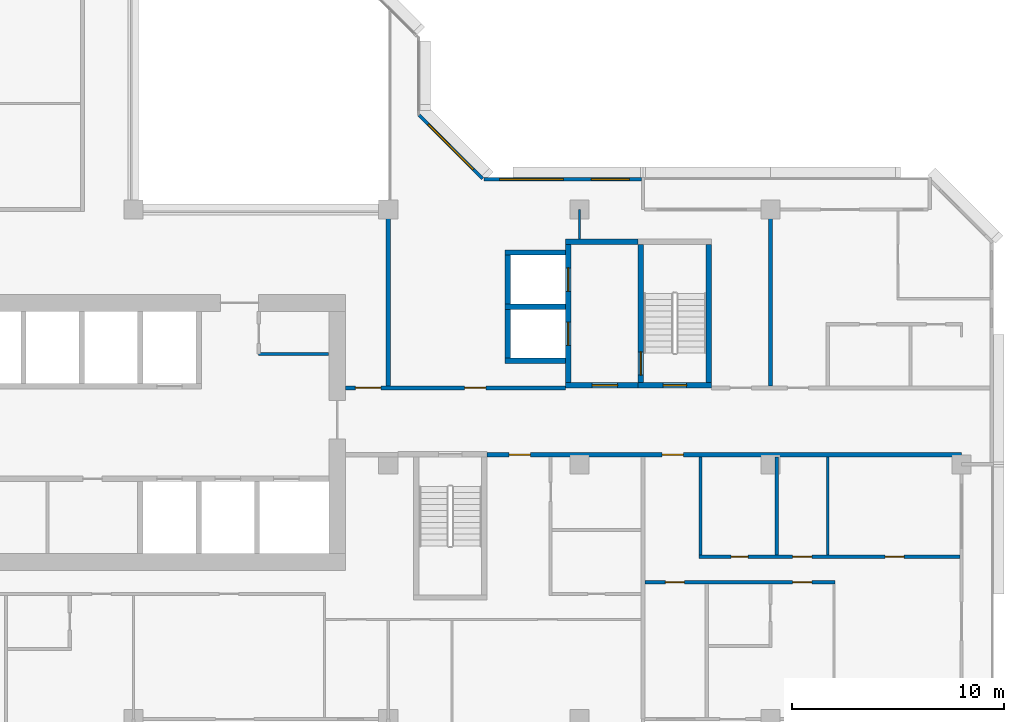
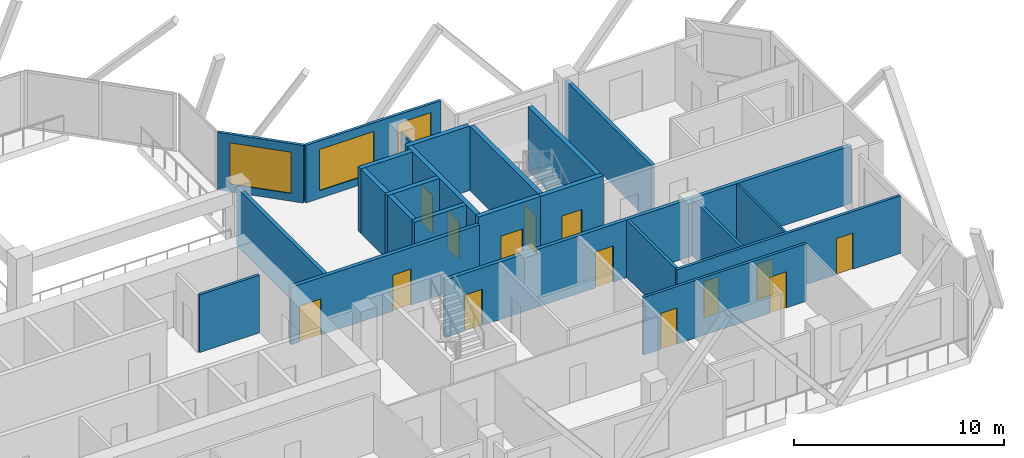
# One storey, part 7 of 15: 24 walls, 14 doors, 3 windows, 17 openings.
"""IFC4 building model written with IfcOpenShell, lengths in metres."""

from ifc_helpers import new_model, si_unit, direction, frame, frame_2d, origin, place, context, subcontext, project, spatial, rectangle, extrude, material, layer, layer_set, type_object, element, fill, save


model = new_model("IFC4")

# Units and contexts
model_context = context("Model", 3, precision=1e-05, world=origin(), true_north=direction((0.0, 1.0)))
body_context = subcontext(model_context, "Body", "Model", "MODEL_VIEW")
ifc_project = project(units=[si_unit("LENGTHUNIT", "METRE"), si_unit("AREAUNIT", "SQUARE_METRE"), si_unit("VOLUMEUNIT", "CUBIC_METRE"), si_unit("PLANEANGLEUNIT", "RADIAN"), si_unit("MASSUNIT", "GRAM", prefix="KILO")], contexts=[model_context])

# Site, building, storey
site_placement = place(None, origin())
site = spatial("IfcSite", under=ifc_project, at=site_placement, CompositionType="ELEMENT")
building_placement = place(site_placement, origin())
building = spatial("IfcBuilding", under=site, at=building_placement, Name="Chenar Terraces", CompositionType="ELEMENT")
storey_placement = place(building_placement, frame((0.0, 0.0, 172.39990234375)))
storey = spatial("IfcBuildingStorey", under=building, at=storey_placement, Name="L39", CompositionType="ELEMENT", Elevation=172.39990234375)

# Wall
ifc_material_1 = material(Name="Gypsum board on steel studs", Category="steel")
ifc_layer_1 = layer(ifc_material_1, 0.14990234375)
ifc_layer_set_1 = layer_set([ifc_layer_1], Name="Gypsum board on steel studs")
wall_type_1 = type_object("IfcWallType", Name="Core partition 150 gypsum board", PredefinedType="PARTITIONING", material=ifc_layer_set_1)
wall_1_placement = place(storey_placement, frame((29.89990234375, 17.199951171875, 0.0), z_axis=(0.0, 0.0, 1.0), x_axis=(1.0, 0.0, 0.0)))
element("IfcWall", 1, at=wall_1_placement, inside=storey, type_object=wall_type_1, Name="Core partition CP1 vestibule room south wall", PredefinedType="PARTITIONING", context=body_context, shape_type="SweptSolid", body=[
    extrude(rectangle(XDim=3.300048828125, YDim=0.14990234375, at=frame_2d((1.64990234375, 0.0))), origin(), (0.0, 0.0, 1.0), 3.35009765625),
])

# Wall, opening, door
ifc_material_2 = material(Name="Concrete C60/75", Category="concrete")
ifc_layer_2 = layer(ifc_material_2, 0.25)
ifc_layer_set_2 = layer_set([ifc_layer_2], Name="Concrete C60/75")
wall_type_2 = type_object("IfcWallType", Name="Core wall 250 Concrete C60/75", PredefinedType="SHEAR", material=ifc_layer_set_2)
wall_2_placement = place(storey_placement, frame((47.77490234375, 15.72509765625, 0.0), z_axis=(0.0, 0.0, 1.0), x_axis=(1.0, 0.0, 0.0)))
wall_2 = element("IfcWall", 2, at=wall_2_placement, inside=storey, type_object=wall_type_2, Name="Core wall ST3_S L39", PredefinedType="SHEAR", context=body_context, shape_type="SweptSolid", body=[
    extrude(rectangle(XDim=3.4501953125, YDim=0.25, at=frame_2d((1.72509765625, 0.0))), origin(), (0.0, 0.0, 1.0), 3.75),
])
opening_1_placement = place(wall_2_placement, frame((1.175048828125, 0.0, 0.0)))
opening_1 = element("IfcOpeningElement", 3, at=opening_1_placement, cuts=wall_2, Name="Opening DL39-C8", PredefinedType="OPENING", context=body_context, shape_type="SweptSolid", body=[
    extrude(rectangle(XDim=1.10009765625, YDim=2.199951171875, at=frame_2d((0.550048828125, 1.10009765625))), frame((0.0, 0.135009765625, 0.0), z_axis=(0.0, -1.0, 0.0), x_axis=(1.0, 0.0, 0.0)), (0.0, 0.0, 1.0), 0.27001953125),
])
ifc_material_3 = material(Name="Steel-framed fire-resisting door leaf", Category="steel")
door_type_1 = type_object("IfcDoorType", Name="Stair fire door FD60 1100 x 2200", OperationType="SINGLE_SWING_LEFT", PredefinedType="DOOR", material=ifc_material_3)
door_1_placement = place(opening_1_placement, frame((1.10009765625, 0.0, 0.0), z_axis=(0.0, 0.0, 1.0), x_axis=(-1.0, 0.0, 0.0)))
door_1 = element("IfcDoor", 4, at=door_1_placement, inside=storey, type_object=door_type_1, Name="Stair door DL39-C8", OperationType="SINGLE_SWING_LEFT", OverallHeight=2.199951171875, OverallWidth=1.10009765625, PredefinedType="DOOR", context=body_context, shape_type="SweptSolid", body=[
    extrude(rectangle(XDim=1.10009765625, YDim=2.199951171875, at=frame_2d((0.550048828125, 1.10009765625))), frame((0.0, 0.02490234375, 0.0), z_axis=(0.0, -1.0, 0.0), x_axis=(1.0, 0.0, 0.0)), (0.0, 0.0, 1.0), 0.050048828125),
])
fill(opening_1, door_1)

wall_3_placement = place(storey_placement, frame((47.89990234375, 15.85009765625, 0.0), z_axis=(0.0, 0.0, 1.0), x_axis=(0.0, 1.0, 0.0)))
wall_3 = element("IfcWall", 5, at=wall_3_placement, inside=storey, type_object=wall_type_2, Name="Core wall ST3_W L39", PredefinedType="SHEAR", context=body_context, shape_type="SweptSolid", body=[
    extrude(rectangle(XDim=6.5, YDim=0.25, at=frame_2d((3.25, 0.0))), origin(), (0.0, 0.0, 1.0), 3.75),
])
opening_2_placement = place(wall_3_placement, frame((0.35009765625, 0.0, 0.0)))
opening_2 = element("IfcOpeningElement", 6, at=opening_2_placement, cuts=wall_3, Name="Opening DL39-C11", PredefinedType="OPENING", context=body_context, shape_type="SweptSolid", body=[
    extrude(rectangle(XDim=1.10009765625, YDim=2.199951171875, at=frame_2d((0.550048828125, 1.10009765625))), frame((0.0, 0.135009765625, 0.0), z_axis=(0.0, -1.0, 0.0), x_axis=(1.0, 0.0, 0.0)), (0.0, 0.0, 1.0), 0.27001953125),
])
door_2_placement = place(opening_2_placement, frame((1.10009765625, 0.0, 0.0), z_axis=(0.0, 0.0, 1.0), x_axis=(-1.0, 0.0, 0.0)))
door_2 = element("IfcDoor", 7, at=door_2_placement, inside=storey, type_object=door_type_1, Name="Stair door DL39-C11", OperationType="SINGLE_SWING_RIGHT", OverallHeight=2.199951171875, OverallWidth=1.10009765625, PredefinedType="DOOR", context=body_context, shape_type="SweptSolid", body=[
    extrude(rectangle(XDim=1.10009765625, YDim=2.199951171875, at=frame_2d((0.550048828125, 1.10009765625))), frame((0.0, 0.02490234375, 0.0), z_axis=(0.0, -1.0, 0.0), x_axis=(1.0, 0.0, 0.0)), (0.0, 0.0, 1.0), 0.050048828125),
])
fill(opening_2, door_2)

# Wall
wall_4_placement = place(storey_placement, frame((51.10009765625, 15.85009765625, 0.0), z_axis=(0.0, 0.0, 1.0), x_axis=(0.0, 1.0, 0.0)))
element("IfcWall", 8, at=wall_4_placement, inside=storey, type_object=wall_type_2, Name="Core wall ST3_E L39", PredefinedType="SHEAR", context=body_context, shape_type="SweptSolid", body=[
    extrude(rectangle(XDim=6.5, YDim=0.25, at=frame_2d((3.25, 0.0))), origin(), (0.0, 0.0, 1.0), 3.75),
])

# Wall, opening, door
wall_5_placement = place(storey_placement, frame((44.35009765625, 15.72509765625, 0.0), z_axis=(0.0, 0.0, 1.0), x_axis=(1.0, 0.0, 0.0)))
wall_5 = element("IfcWall", 9, at=wall_5_placement, inside=storey, type_object=wall_type_2, Name="Core wall F3_LS L39", PredefinedType="SHEAR", context=body_context, shape_type="SweptSolid", body=[
    extrude(rectangle(XDim=3.4248046875, YDim=0.25, at=frame_2d((1.71240234375, 0.0))), origin(), (0.0, 0.0, 1.0), 3.75),
])
opening_3_placement = place(wall_5_placement, frame((1.25, 0.0, 0.0)))
opening_3 = element("IfcOpeningElement", 10, at=opening_3_placement, cuts=wall_5, Name="Opening DL39-C10", PredefinedType="OPENING", context=body_context, shape_type="SweptSolid", body=[
    extrude(rectangle(XDim=1.199951171875, YDim=2.199951171875, at=frame_2d((0.60009765625, 1.10009765625))), frame((0.0, 0.135009765625, 0.0), z_axis=(0.0, -1.0, 0.0), x_axis=(1.0, 0.0, 0.0)), (0.0, 0.0, 1.0), 0.27001953125),
])
ifc_material_4 = material(Name="Steel-framed fire-resisting door leaf", Category="steel")
door_type_2 = type_object("IfcDoorType", Name="Lobby fire door FD60 1200 x 2200", OperationType="SINGLE_SWING_LEFT", PredefinedType="DOOR", material=ifc_material_4)
door_3_placement = place(opening_3_placement, origin())
door_3 = element("IfcDoor", 11, at=door_3_placement, inside=storey, type_object=door_type_2, Name="Core door DL39-C10", OperationType="SINGLE_SWING_RIGHT", OverallHeight=2.199951171875, OverallWidth=1.199951171875, PredefinedType="DOOR", context=body_context, shape_type="SweptSolid", body=[
    extrude(rectangle(XDim=1.199951171875, YDim=2.199951171875, at=frame_2d((0.60009765625, 1.10009765625))), frame((0.0, 0.02490234375, 0.0), z_axis=(0.0, -1.0, 0.0), x_axis=(1.0, 0.0, 0.0)), (0.0, 0.0, 1.0), 0.050048828125),
])
fill(opening_3, door_3)

# Wall
wall_6_placement = place(storey_placement, frame((44.35009765625, 22.47509765625, 0.0), z_axis=(0.0, 0.0, 1.0), x_axis=(1.0, 0.0, 0.0)))
element("IfcWall", 12, at=wall_6_placement, inside=storey, type_object=wall_type_2, Name="Core wall F3_LN L39", PredefinedType="SHEAR", context=body_context, shape_type="SweptSolid", body=[
    extrude(rectangle(XDim=3.4248046875, YDim=0.25, at=frame_2d((1.71240234375, 0.0))), origin(), (0.0, 0.0, 1.0), 3.75),
])

# Wall, openings, doors
wall_7_placement = place(storey_placement, frame((44.47509765625, 15.85009765625, 0.0), z_axis=(0.0, 0.0, 1.0), x_axis=(0.0, 1.0, 0.0)))
wall_7 = element("IfcWall", 13, at=wall_7_placement, inside=storey, type_object=wall_type_2, Name="Core wall F3_LW L39", PredefinedType="SHEAR", context=body_context, shape_type="SweptSolid", body=[
    extrude(rectangle(XDim=6.5, YDim=0.25, at=frame_2d((3.25, 0.0))), origin(), (0.0, 0.0, 1.0), 3.75),
])
opening_4_placement = place(wall_7_placement, frame((1.75, 0.0, 0.0)))
opening_4 = element("IfcOpeningElement", 14, at=opening_4_placement, cuts=wall_7, Name="Opening DL39-LD8", PredefinedType="OPENING", context=body_context, shape_type="SweptSolid", body=[
    extrude(rectangle(XDim=1.10009765625, YDim=2.199951171875, at=frame_2d((0.550048828125, 1.10009765625))), frame((0.0, 0.135009765625, 0.0), z_axis=(0.0, -1.0, 0.0), x_axis=(1.0, 0.0, 0.0)), (0.0, 0.0, 1.0), 0.27001953125),
])
opening_5_placement = place(wall_7_placement, frame((4.300048828125, 0.0, 0.0)))
opening_5 = element("IfcOpeningElement", 15, at=opening_5_placement, cuts=wall_7, Name="Opening DL39-LD9", PredefinedType="OPENING", context=body_context, shape_type="SweptSolid", body=[
    extrude(rectangle(XDim=1.10009765625, YDim=2.199951171875, at=frame_2d((0.550048828125, 1.10009765625))), frame((0.0, 0.135009765625, 0.0), z_axis=(0.0, -1.0, 0.0), x_axis=(1.0, 0.0, 0.0)), (0.0, 0.0, 1.0), 0.27001953125),
])
ifc_material_5 = material(Name="Stainless steel", Category="steel")
door_type_3 = type_object("IfcDoorType", Name="Lift landing door 1100 x 2200 sliding", OperationType="DOUBLE_DOOR_SLIDING", PredefinedType="DOOR", material=ifc_material_5)
door_4_placement = place(opening_4_placement, origin())
door_4 = element("IfcDoor", 16, at=door_4_placement, inside=storey, type_object=door_type_3, Name="Landing door F3", OperationType="DOUBLE_DOOR_SLIDING", OverallHeight=2.199951171875, OverallWidth=1.10009765625, PredefinedType="DOOR", context=body_context, shape_type="SweptSolid", body=[
    extrude(rectangle(XDim=1.10009765625, YDim=2.199951171875, at=frame_2d((0.550048828125, 1.10009765625))), frame((0.0, 0.02490234375, 0.0), z_axis=(0.0, -1.0, 0.0), x_axis=(1.0, 0.0, 0.0)), (0.0, 0.0, 1.0), 0.050048828125),
])
fill(opening_4, door_4)
door_5_placement = place(opening_5_placement, origin())
door_5 = element("IfcDoor", 17, at=door_5_placement, inside=storey, type_object=door_type_3, Name="Landing door F4", OperationType="DOUBLE_DOOR_SLIDING", OverallHeight=2.199951171875, OverallWidth=1.10009765625, PredefinedType="DOOR", context=body_context, shape_type="SweptSolid", body=[
    extrude(rectangle(XDim=1.10009765625, YDim=2.199951171875, at=frame_2d((0.550048828125, 1.10009765625))), frame((0.0, 0.02490234375, 0.0), z_axis=(0.0, -1.0, 0.0), x_axis=(1.0, 0.0, 0.0)), (0.0, 0.0, 1.0), 0.050048828125),
])
fill(opening_5, door_5)

# Walls
for number, where, z_axis, x_axis, name in (
    (18, (41.5, 16.875, 0.0), (0.0, 0.0, 1.0), (1.0, 0.0, 0.0), "Core wall F3_SS L39"),
    (19, (41.5, 19.425048828125, 0.0), (0.0, 0.0, 1.0), (1.0, 0.0, 0.0), "Core wall F3_SM L39"),
    (20, (41.5, 21.97509765625, 0.0), (0.0, 0.0, 1.0), (1.0, 0.0, 0.0), "Core wall F4_SN L39"),
):
    element("IfcWall", number, at=place(storey_placement, frame(where, z_axis=z_axis, x_axis=x_axis)), inside=storey, type_object=wall_type_2, Name=name, PredefinedType="SHEAR", context=body_context, shape_type="SweptSolid", body=[
        extrude(rectangle(XDim=2.85009765625, YDim=0.25, at=frame_2d((1.425048828125, 0.0))), origin(), (0.0, 0.0, 1.0), 3.75),
    ])
for number, where, z_axis, x_axis, name in (
    (21, (41.625, 17.0, 0.0), (0.0, 0.0, 1.0), (0.0, 1.0, 0.0), "Core wall F3_SW L39"),
    (22, (41.625, 19.550048828125, 0.0), (0.0, 0.0, 1.0), (0.0, 1.0, 0.0), "Core wall F4_SW L39"),
):
    element("IfcWall", number, at=place(storey_placement, frame(where, z_axis=z_axis, x_axis=x_axis)), inside=storey, type_object=wall_type_2, Name=name, PredefinedType="SHEAR", context=body_context, shape_type="SweptSolid", body=[
        extrude(rectangle(XDim=2.300048828125, YDim=0.25, at=frame_2d((1.14990234375, 0.0))), origin(), (0.0, 0.0, 1.0), 3.75),
    ])

# Wall, openings, doors
ifc_material_6 = material(Name="Gypsum board on steel studs with fire boards", Category="steel")
ifc_layer_3 = layer(ifc_material_6, 0.199951171875)
ifc_layer_set_3 = layer_set([ifc_layer_3], Name="Gypsum board on steel studs with fire boards")
wall_type_3 = type_object("IfcWallType", Name="Corridor wall 200", PredefinedType="PARTITIONING", material=ifc_layer_set_3)
wall_8_placement = place(storey_placement, frame((34.0, 15.60009765625, 0.0), z_axis=(0.0, 0.0, 1.0), x_axis=(1.0, 0.0, 0.0)))
wall_8 = element("IfcWall", 23, at=wall_8_placement, inside=storey, type_object=wall_type_3, Name="Partition L39-062", PredefinedType="PARTITIONING", context=body_context, shape_type="SweptSolid", body=[
    extrude(rectangle(XDim=10.35009765625, YDim=0.199951171875, at=frame_2d((5.175048828125, 0.0))), origin(), (0.0, 0.0, 1.0), 3.35009765625),
])
opening_6_placement = place(wall_8_placement, frame((5.60009765625, 0.0, 0.0)))
opening_6 = element("IfcOpeningElement", 24, at=opening_6_placement, cuts=wall_8, Name="Opening DL39-3", PredefinedType="OPENING", context=body_context, shape_type="SweptSolid", body=[
    extrude(rectangle(XDim=1.0, YDim=2.10009765625, at=frame_2d((0.5, 1.050048828125))), frame((0.0, 0.10986328125, 0.0), z_axis=(0.0, -1.0, 0.0), x_axis=(1.0, 0.0, 0.0)), (0.0, 0.0, 1.0), 0.219970703125),
])
opening_7_placement = place(wall_8_placement, frame((0.449951171875, 0.0, 0.0)))
opening_7 = element("IfcOpeningElement", 25, at=opening_7_placement, cuts=wall_8, Name="Opening DL39-38", PredefinedType="OPENING", context=body_context, shape_type="SweptSolid", body=[
    extrude(rectangle(XDim=1.199951171875, YDim=2.10009765625, at=frame_2d((0.60009765625, 1.050048828125))), frame((0.0, 0.10986328125, 0.0), z_axis=(0.0, -1.0, 0.0), x_axis=(1.0, 0.0, 0.0)), (0.0, 0.0, 1.0), 0.219970703125),
])
ifc_material_7 = material(Name="Steel-framed fire-resisting door leaf", Category="steel")
door_type_4 = type_object("IfcDoorType", Name="Fire door FD60 1000 x 2100", OperationType="SINGLE_SWING_LEFT", PredefinedType="DOOR", material=ifc_material_7)
door_6_placement = place(opening_6_placement, origin())
door_6 = element("IfcDoor", 26, at=door_6_placement, inside=storey, type_object=door_type_4, Name="Door DL39-3", OperationType="SINGLE_SWING_RIGHT", OverallHeight=2.10009765625, OverallWidth=1.0, PredefinedType="DOOR", context=body_context, shape_type="SweptSolid", body=[
    extrude(rectangle(XDim=1.0, YDim=2.10009765625, at=frame_2d((0.5, 1.050048828125))), frame((0.0, 0.02490234375, 0.0), z_axis=(0.0, -1.0, 0.0), x_axis=(1.0, 0.0, 0.0)), (0.0, 0.0, 1.0), 0.050048828125),
])
fill(opening_6, door_6)
ifc_material_8 = material(Name="Steel-framed fire-resisting door leaf", Category="steel")
door_type_5 = type_object("IfcDoorType", Name="Fire door FD60 1200 x 2100", OperationType="SINGLE_SWING_LEFT", PredefinedType="DOOR", material=ifc_material_8)
door_7_placement = place(opening_7_placement, origin())
door_7 = element("IfcDoor", 27, at=door_7_placement, inside=storey, type_object=door_type_5, Name="Door DL39-38", OperationType="SINGLE_SWING_RIGHT", OverallHeight=2.10009765625, OverallWidth=1.199951171875, PredefinedType="DOOR", context=body_context, shape_type="SweptSolid", body=[
    extrude(rectangle(XDim=1.199951171875, YDim=2.10009765625, at=frame_2d((0.60009765625, 1.050048828125))), frame((0.0, 0.02490234375, 0.0), z_axis=(0.0, -1.0, 0.0), x_axis=(1.0, 0.0, 0.0)), (0.0, 0.0, 1.0), 0.050048828125),
])
fill(opening_7, door_7)

# Wall
wall_9_placement = place(storey_placement, frame((36.0, 15.699951171875, 0.0), z_axis=(0.0, 0.0, 1.0), x_axis=(0.0, 1.0, 0.0)))
element("IfcWall", 28, at=wall_9_placement, inside=storey, type_object=wall_type_3, Name="Partition L39-064", PredefinedType="PARTITIONING", context=body_context, shape_type="SweptSolid", body=[
    extrude(rectangle(XDim=8.300048828125, YDim=0.199951171875, at=frame_2d((4.14990234375, 0.0))), origin(), (0.0, 0.0, 1.0), 3.35009765625),
])

# Wall, openings, doors
wall_10_placement = place(storey_placement, frame((40.64990234375, 12.449951171875, 0.0), z_axis=(0.0, 0.0, 1.0), x_axis=(1.0, 0.0, 0.0)))
wall_10 = element("IfcWall", 29, at=wall_10_placement, inside=storey, type_object=wall_type_3, Name="Partition L39-066", PredefinedType="PARTITIONING", context=body_context, shape_type="SweptSolid", body=[
    extrude(rectangle(XDim=22.35009765625, YDim=0.199951171875, at=frame_2d((11.175048828125, 0.0))), origin(), (0.0, 0.0, 1.0), 3.35009765625),
])
opening_8_placement = place(wall_10_placement, frame((8.25, 0.0, 0.0)))
opening_8 = element("IfcOpeningElement", 30, at=opening_8_placement, cuts=wall_10, Name="Opening DL39-13", PredefinedType="OPENING", context=body_context, shape_type="SweptSolid", body=[
    extrude(rectangle(XDim=1.0, YDim=2.10009765625, at=frame_2d((0.5, 1.050048828125))), frame((0.0, 0.10986328125, 0.0), z_axis=(0.0, -1.0, 0.0), x_axis=(1.0, 0.0, 0.0)), (0.0, 0.0, 1.0), 0.219970703125),
])
opening_9_placement = place(wall_10_placement, frame((1.050048828125, 0.0, 0.0)))
opening_9 = element("IfcOpeningElement", 31, at=opening_9_placement, cuts=wall_10, Name="Opening DL39-53", PredefinedType="OPENING", context=body_context, shape_type="SweptSolid", body=[
    extrude(rectangle(XDim=1.0, YDim=2.10009765625, at=frame_2d((0.5, 1.050048828125))), frame((0.0, 0.10986328125, 0.0), z_axis=(0.0, -1.0, 0.0), x_axis=(1.0, 0.0, 0.0)), (0.0, 0.0, 1.0), 0.219970703125),
])
ifc_material_9 = material(Name="Steel-framed fire-resisting door leaf", Category="steel")
door_type_6 = type_object("IfcDoorType", Name="Fire door FD30S 1000 x 2100", OperationType="SINGLE_SWING_LEFT", PredefinedType="DOOR", material=ifc_material_9)
door_8_placement = place(opening_8_placement, frame((1.0, 0.0, 0.0), z_axis=(0.0, 0.0, 1.0), x_axis=(-1.0, 0.0, 0.0)))
door_8 = element("IfcDoor", 32, at=door_8_placement, inside=storey, type_object=door_type_6, Name="Door DL39-13", OperationType="SINGLE_SWING_LEFT", OverallHeight=2.10009765625, OverallWidth=1.0, PredefinedType="DOOR", context=body_context, shape_type="SweptSolid", body=[
    extrude(rectangle(XDim=1.0, YDim=2.10009765625, at=frame_2d((0.5, 1.050048828125))), frame((0.0, 0.02490234375, 0.0), z_axis=(0.0, -1.0, 0.0), x_axis=(1.0, 0.0, 0.0)), (0.0, 0.0, 1.0), 0.050048828125),
])
fill(opening_8, door_8)
door_9_placement = place(opening_9_placement, origin())
door_9 = element("IfcDoor", 33, at=door_9_placement, inside=storey, type_object=door_type_6, Name="Door DL39-53", OperationType="SINGLE_SWING_LEFT", OverallHeight=2.10009765625, OverallWidth=1.0, PredefinedType="DOOR", context=body_context, shape_type="SweptSolid", body=[
    extrude(rectangle(XDim=1.0, YDim=2.10009765625, at=frame_2d((0.5, 1.050048828125))), frame((0.0, 0.02490234375, 0.0), z_axis=(0.0, -1.0, 0.0), x_axis=(1.0, 0.0, 0.0)), (0.0, 0.0, 1.0), 0.050048828125),
])
fill(opening_9, door_9)

# Wall, openings, windows
ifc_material_10 = material(Name="Aluminium framed glazing", Category="aluminium")
ifc_layer_4 = layer(ifc_material_10, 0.14990234375)
ifc_layer_set_4 = layer_set([ifc_layer_4], Name="Aluminium framed glazing")
wall_type_4 = type_object("IfcWallType", Name="Glazed flush facade wall 150", PredefinedType="SOLIDWALL", material=ifc_layer_set_4)
wall_11_placement = place(storey_placement, frame((47.925048828125, 25.425048828125, 0.0), z_axis=(0.0, 0.0, 1.0), x_axis=(-1.0, 0.0, 0.0)))
wall_11 = element("IfcWall", 34, at=wall_11_placement, inside=storey, type_object=wall_type_4, Name="Glazed flush facade wall", PredefinedType="SOLIDWALL", context=body_context, shape_type="SweptSolid", body=[
    extrude(rectangle(XDim=7.425048828125, YDim=0.14990234375, at=frame_2d((3.71240234375, 0.0))), origin(), (0.0, 0.0, 1.0), 3.35009765625),
])
opening_10_placement = place(wall_11_placement, frame((0.5625, 0.0, 0.449951171875)))
opening_10 = element("IfcOpeningElement", 35, at=opening_10_placement, cuts=wall_11, Name="Opening W180x240", PredefinedType="OPENING", context=body_context, shape_type="SweptSolid", body=[
    extrude(rectangle(XDim=1.800048828125, YDim=2.39990234375, at=frame_2d((0.89990234375, 1.199951171875))), frame((0.0, 0.0849609375, 0.0), z_axis=(0.0, -1.0, 0.0), x_axis=(1.0, 0.0, 0.0)), (0.0, 0.0, 1.0), 0.169921875),
])
opening_11_placement = place(wall_11_placement, frame((3.675048828125, 0.0, 0.449951171875)))
opening_11 = element("IfcOpeningElement", 36, at=opening_11_placement, cuts=wall_11, Name="Opening W300x240", PredefinedType="OPENING", context=body_context, shape_type="SweptSolid", body=[
    extrude(rectangle(XDim=3.0, YDim=2.39990234375, at=frame_2d((1.5, 1.199951171875))), frame((0.0, 0.0849609375, 0.0), z_axis=(0.0, -1.0, 0.0), x_axis=(1.0, 0.0, 0.0)), (0.0, 0.0, 1.0), 0.169921875),
])
ifc_material_11 = material(Name="Low emissivity double glazing, aluminium frame", Category="aluminium")
window_type_1 = type_object("IfcWindowType", Name="Fixed light 1800 x 2400", PartitioningType="SINGLE_PANEL", PredefinedType="WINDOW", material=ifc_material_11)
window_1_placement = place(opening_10_placement, origin())
window_1 = element("IfcWindow", 37, at=window_1_placement, inside=storey, type_object=window_type_1, Name="Window", OverallHeight=2.39990234375, OverallWidth=1.800048828125, PartitioningType="SINGLE_PANEL", PredefinedType="WINDOW", context=body_context, shape_type="SweptSolid", body=[
    extrude(rectangle(XDim=1.800048828125, YDim=2.39990234375, at=frame_2d((0.89990234375, 1.199951171875))), frame((0.0, 0.030029296875, 0.0), z_axis=(0.0, -1.0, 0.0), x_axis=(1.0, 0.0, 0.0)), (0.0, 0.0, 1.0), 0.06005859375),
])
fill(opening_10, window_1)
ifc_material_12 = material(Name="Low emissivity double glazing, aluminium frame", Category="aluminium")
window_type_2 = type_object("IfcWindowType", Name="Fixed light 3000 x 2400", PartitioningType="SINGLE_PANEL", PredefinedType="WINDOW", material=ifc_material_12)
window_2_placement = place(opening_11_placement, origin())
window_2 = element("IfcWindow", 38, at=window_2_placement, inside=storey, type_object=window_type_2, Name="Window", OverallHeight=2.39990234375, OverallWidth=3.0, PartitioningType="SINGLE_PANEL", PredefinedType="WINDOW", context=body_context, shape_type="SweptSolid", body=[
    extrude(rectangle(XDim=3.0, YDim=2.39990234375, at=frame_2d((1.5, 1.199951171875))), frame((0.0, 0.030029296875, 0.0), z_axis=(0.0, -1.0, 0.0), x_axis=(1.0, 0.0, 0.0)), (0.0, 0.0, 1.0), 0.06005859375),
])
fill(opening_11, window_2)

# Walls
ifc_material_13 = material(Name="Gypsum board on steel studs", Category="steel")
ifc_layer_5 = layer(ifc_material_13, 0.10009765625)
ifc_layer_set_5 = layer_set([ifc_layer_5], Name="Gypsum board on steel studs")
wall_type_5 = type_object("IfcWallType", Name="Gypsum partition 100", PredefinedType="PARTITIONING", material=ifc_layer_set_5)
wall_12_placement = place(storey_placement, frame((45.0, 22.60009765625, 0.0), z_axis=(0.0, 0.0, 1.0), x_axis=(0.0, 1.0, 0.0)))
element("IfcWall", 39, at=wall_12_placement, inside=storey, type_object=wall_type_5, Name="Partition L39-070", PredefinedType="PARTITIONING", context=body_context, shape_type="SweptSolid", body=[
    extrude(rectangle(XDim=1.39990234375, YDim=0.10009765625, at=frame_2d((0.699951171875, 0.0))), origin(), (0.0, 0.0, 1.0), 3.35009765625),
])
wall_13_placement = place(storey_placement, frame((56.699951171875, 7.72509765625, 0.0), z_axis=(0.0, 0.0, 1.0), x_axis=(0.0, 1.0, 0.0)))
element("IfcWall", 40, at=wall_13_placement, inside=storey, type_object=wall_type_5, Name="Partition L39-082", PredefinedType="PARTITIONING", context=body_context, shape_type="SweptSolid", body=[
    extrude(rectangle(XDim=4.625, YDim=0.10009765625, at=frame_2d((2.3125, 0.0))), origin(), (0.0, 0.0, 1.0), 3.35009765625),
])

# Wall, opening, window
ifc_material_14 = material(Name="Terracotta cladding on insulated backing", Category="masonry")
ifc_layer_6 = layer(ifc_material_14, 0.14990234375)
ifc_layer_set_6 = layer_set([ifc_layer_6], Name="Terracotta cladding on insulated backing")
wall_type_6 = type_object("IfcWallType", Name="Terracotta rainscreen wall 150", PredefinedType="SOLIDWALL", material=ifc_layer_set_6)
wall_14_placement = place(storey_placement, frame((40.447021484375, 25.447021484375, 0.0), z_axis=(0.0, 0.0, 1.0), x_axis=(-0.707106781187, 0.707106781187, 0.0)))
wall_14 = element("IfcWall", 41, at=wall_14_placement, inside=storey, type_object=wall_type_6, Name="Terracotta rainscreen wall", PredefinedType="SOLIDWALL", context=body_context, shape_type="SweptSolid", body=[
    extrude(rectangle(XDim=4.24267578125, YDim=0.14990234375, at=frame_2d((2.121337890625, 0.0))), origin(), (0.0, 0.0, 1.0), 3.35009765625),
])
opening_12_placement = place(wall_14_placement, frame((0.621337890625, 0.0, 0.449951171875)))
opening_12 = element("IfcOpeningElement", 42, at=opening_12_placement, cuts=wall_14, Name="Opening W300x240", PredefinedType="OPENING", context=body_context, shape_type="SweptSolid", body=[
    extrude(rectangle(XDim=3.0, YDim=2.39990234375, at=frame_2d((1.5, 1.199951171875))), frame((0.0, 0.0849609375, 0.0), z_axis=(0.0, -1.0, 0.0), x_axis=(1.0, 0.0, 0.0)), (0.0, 0.0, 1.0), 0.169921875),
])
window_3_placement = place(opening_12_placement, origin())
window_3 = element("IfcWindow", 43, at=window_3_placement, inside=storey, type_object=window_type_2, Name="Window", OverallHeight=2.39990234375, OverallWidth=3.0, PartitioningType="SINGLE_PANEL", PredefinedType="WINDOW", context=body_context, shape_type="SweptSolid", body=[
    extrude(rectangle(XDim=3.0, YDim=2.39990234375, at=frame_2d((1.5, 1.199951171875))), frame((0.0, 0.030029296875, 0.0), z_axis=(0.0, -1.0, 0.0), x_axis=(1.0, 0.0, 0.0)), (0.0, 0.0, 1.0), 0.06005859375),
])
fill(opening_12, window_3)

# Wall
ifc_material_15 = material(Name="Twin gypsum board on steel studs with mineral wool", Category="steel")
ifc_layer_7 = layer(ifc_material_15, 0.199951171875)
ifc_layer_set_7 = layer_set([ifc_layer_7], Name="Twin gypsum board on steel studs with mineral wool")
wall_type_7 = type_object("IfcWallType", Name="Unit demising wall 200", PredefinedType="PARTITIONING", material=ifc_layer_set_7)
wall_15_placement = place(storey_placement, frame((54.0, 15.699951171875, 0.0), z_axis=(0.0, 0.0, 1.0), x_axis=(0.0, 1.0, 0.0)))
element("IfcWall", 44, at=wall_15_placement, inside=storey, type_object=wall_type_7, Name="Partition L39-079", PredefinedType="PARTITIONING", context=body_context, shape_type="SweptSolid", body=[
    extrude(rectangle(XDim=8.22607421875, YDim=0.199951171875, at=frame_2d((4.113037109375, 0.0))), origin(), (0.0, 0.0, 1.0), 3.35009765625),
])

# Wall, openings, doors
ifc_material_16 = material(Name="Moisture-resistant gypsum board on steel studs", Category="steel")
ifc_layer_8 = layer(ifc_material_16, 0.14990234375)
ifc_layer_set_8 = layer_set([ifc_layer_8], Name="Moisture-resistant gypsum board on steel studs")
wall_type_8 = type_object("IfcWallType", Name="Wet-room partition 150", PredefinedType="PARTITIONING", material=ifc_layer_set_8)
wall_16_placement = place(storey_placement, frame((48.10009765625, 6.449951171875, 0.0), z_axis=(0.0, 0.0, 1.0), x_axis=(1.0, 0.0, 0.0)))
wall_16 = element("IfcWall", 45, at=wall_16_placement, inside=storey, type_object=wall_type_8, Name="Partition L39-072", PredefinedType="PARTITIONING", context=body_context, shape_type="SweptSolid", body=[
    extrude(rectangle(XDim=8.949951171875, YDim=0.14990234375, at=frame_2d((4.47509765625, 0.0))), origin(), (0.0, 0.0, 1.0), 3.35009765625),
])
opening_13_placement = place(wall_16_placement, frame((0.949951171875, 0.0, 0.0)))
opening_13 = element("IfcOpeningElement", 46, at=opening_13_placement, cuts=wall_16, Name="Opening DL39-9", PredefinedType="OPENING", context=body_context, shape_type="SweptSolid", body=[
    extrude(rectangle(XDim=0.89990234375, YDim=2.10009765625, at=frame_2d((0.449951171875, 1.050048828125))), frame((0.0, 0.0849609375, 0.0), z_axis=(0.0, -1.0, 0.0), x_axis=(1.0, 0.0, 0.0)), (0.0, 0.0, 1.0), 0.169921875),
])
opening_14_placement = place(wall_16_placement, frame((6.949951171875, 0.0, 0.0)))
opening_14 = element("IfcOpeningElement", 47, at=opening_14_placement, cuts=wall_16, Name="Opening DL39-10", PredefinedType="OPENING", context=body_context, shape_type="SweptSolid", body=[
    extrude(rectangle(XDim=0.89990234375, YDim=2.10009765625, at=frame_2d((0.449951171875, 1.050048828125))), frame((0.0, 0.0849609375, 0.0), z_axis=(0.0, -1.0, 0.0), x_axis=(1.0, 0.0, 0.0)), (0.0, 0.0, 1.0), 0.169921875),
])
ifc_material_17 = material(Name="Veneered timber door leaf", Category="wood")
door_type_7 = type_object("IfcDoorType", Name="Door 900 x 2100", OperationType="SINGLE_SWING_LEFT", PredefinedType="DOOR", material=ifc_material_17)
door_10_placement = place(opening_13_placement, frame((0.89990234375, 0.0, 0.0), z_axis=(0.0, 0.0, 1.0), x_axis=(-1.0, 0.0, 0.0)))
door_10 = element("IfcDoor", 48, at=door_10_placement, inside=storey, type_object=door_type_7, Name="Door DL39-9", OperationType="SINGLE_SWING_LEFT", OverallHeight=2.10009765625, OverallWidth=0.89990234375, PredefinedType="DOOR", context=body_context, shape_type="SweptSolid", body=[
    extrude(rectangle(XDim=0.89990234375, YDim=2.10009765625, at=frame_2d((0.449951171875, 1.050048828125))), frame((0.0, 0.02490234375, 0.0), z_axis=(0.0, -1.0, 0.0), x_axis=(1.0, 0.0, 0.0)), (0.0, 0.0, 1.0), 0.050048828125),
])
fill(opening_13, door_10)
door_11_placement = place(opening_14_placement, frame((0.89990234375, 0.0, 0.0), z_axis=(0.0, 0.0, 1.0), x_axis=(-1.0, 0.0, 0.0)))
door_11 = element("IfcDoor", 49, at=door_11_placement, inside=storey, type_object=door_type_7, Name="Door DL39-10", OperationType="SINGLE_SWING_LEFT", OverallHeight=2.10009765625, OverallWidth=0.89990234375, PredefinedType="DOOR", context=body_context, shape_type="SweptSolid", body=[
    extrude(rectangle(XDim=0.89990234375, YDim=2.10009765625, at=frame_2d((0.449951171875, 1.050048828125))), frame((0.0, 0.02490234375, 0.0), z_axis=(0.0, -1.0, 0.0), x_axis=(1.0, 0.0, 0.0)), (0.0, 0.0, 1.0), 0.050048828125),
])
fill(opening_14, door_11)

wall_17_placement = place(storey_placement, frame((50.625, 7.64990234375, 0.0), z_axis=(0.0, 0.0, 1.0), x_axis=(1.0, 0.0, 0.0)))
wall_17 = element("IfcWall", 50, at=wall_17_placement, inside=storey, type_object=wall_type_8, Name="Partition L39-073", PredefinedType="PARTITIONING", context=body_context, shape_type="SweptSolid", body=[
    extrude(rectangle(XDim=12.301025390625, YDim=0.14990234375, at=frame_2d((6.150390625, 0.0))), origin(), (0.0, 0.0, 1.0), 3.35009765625),
])
opening_15_placement = place(wall_17_placement, frame((1.52490234375, 0.0, 0.0)))
opening_15 = element("IfcOpeningElement", 51, at=opening_15_placement, cuts=wall_17, Name="Opening DL39-8", PredefinedType="OPENING", context=body_context, shape_type="SweptSolid", body=[
    extrude(rectangle(XDim=0.800048828125, YDim=2.10009765625, at=frame_2d((0.39990234375, 1.050048828125))), frame((0.0, 0.0849609375, 0.0), z_axis=(0.0, -1.0, 0.0), x_axis=(1.0, 0.0, 0.0)), (0.0, 0.0, 1.0), 0.169921875),
])
opening_16_placement = place(wall_17_placement, frame((8.77490234375, 0.0, 0.0)))
opening_16 = element("IfcOpeningElement", 52, at=opening_16_placement, cuts=wall_17, Name="Opening DL39-12", PredefinedType="OPENING", context=body_context, shape_type="SweptSolid", body=[
    extrude(rectangle(XDim=0.89990234375, YDim=2.10009765625, at=frame_2d((0.449951171875, 1.050048828125))), frame((0.0, 0.0849609375, 0.0), z_axis=(0.0, -1.0, 0.0), x_axis=(1.0, 0.0, 0.0)), (0.0, 0.0, 1.0), 0.169921875),
])
opening_17_placement = place(wall_17_placement, frame((4.425048828125, 0.0, 0.0)))
opening_17 = element("IfcOpeningElement", 53, at=opening_17_placement, cuts=wall_17, Name="Opening DL39-14", PredefinedType="OPENING", context=body_context, shape_type="SweptSolid", body=[
    extrude(rectangle(XDim=0.89990234375, YDim=2.10009765625, at=frame_2d((0.449951171875, 1.050048828125))), frame((0.0, 0.0849609375, 0.0), z_axis=(0.0, -1.0, 0.0), x_axis=(1.0, 0.0, 0.0)), (0.0, 0.0, 1.0), 0.169921875),
])
ifc_material_18 = material(Name="Veneered timber door leaf", Category="wood")
door_type_8 = type_object("IfcDoorType", Name="Door 800 x 2100", OperationType="SINGLE_SWING_LEFT", PredefinedType="DOOR", material=ifc_material_18)
door_12_placement = place(opening_15_placement, origin())
door_12 = element("IfcDoor", 54, at=door_12_placement, inside=storey, type_object=door_type_8, Name="Door DL39-8", OperationType="SINGLE_SWING_RIGHT", OverallHeight=2.10009765625, OverallWidth=0.800048828125, PredefinedType="DOOR", context=body_context, shape_type="SweptSolid", body=[
    extrude(rectangle(XDim=0.800048828125, YDim=2.10009765625, at=frame_2d((0.39990234375, 1.050048828125))), frame((0.0, 0.02490234375, 0.0), z_axis=(0.0, -1.0, 0.0), x_axis=(1.0, 0.0, 0.0)), (0.0, 0.0, 1.0), 0.050048828125),
])
fill(opening_15, door_12)
door_13_placement = place(opening_16_placement, origin())
door_13 = element("IfcDoor", 55, at=door_13_placement, inside=storey, type_object=door_type_7, Name="Door DL39-12", OperationType="SINGLE_SWING_RIGHT", OverallHeight=2.10009765625, OverallWidth=0.89990234375, PredefinedType="DOOR", context=body_context, shape_type="SweptSolid", body=[
    extrude(rectangle(XDim=0.89990234375, YDim=2.10009765625, at=frame_2d((0.449951171875, 1.050048828125))), frame((0.0, 0.02490234375, 0.0), z_axis=(0.0, -1.0, 0.0), x_axis=(1.0, 0.0, 0.0)), (0.0, 0.0, 1.0), 0.050048828125),
])
fill(opening_16, door_13)
door_14_placement = place(opening_17_placement, origin())
door_14 = element("IfcDoor", 56, at=door_14_placement, inside=storey, type_object=door_type_7, Name="Door DL39-14", OperationType="SINGLE_SWING_RIGHT", OverallHeight=2.10009765625, OverallWidth=0.89990234375, PredefinedType="DOOR", context=body_context, shape_type="SweptSolid", body=[
    extrude(rectangle(XDim=0.89990234375, YDim=2.10009765625, at=frame_2d((0.449951171875, 1.050048828125))), frame((0.0, 0.02490234375, 0.0), z_axis=(0.0, -1.0, 0.0), x_axis=(1.0, 0.0, 0.0)), (0.0, 0.0, 1.0), 0.050048828125),
])
fill(opening_17, door_14)

# Walls
for number, where, z_axis, x_axis, name in (
    (57, (50.699951171875, 7.72509765625, 0.0), (0.0, 0.0, 1.0), (0.0, 1.0, 0.0), "Partition L39-074"),
    (58, (54.300048828125, 7.72509765625, 0.0), (0.0, 0.0, 1.0), (0.0, 1.0, 0.0), "Partition L39-080"),
):
    element("IfcWall", number, at=place(storey_placement, frame(where, z_axis=z_axis, x_axis=x_axis)), inside=storey, type_object=wall_type_8, Name=name, PredefinedType="PARTITIONING", context=body_context, shape_type="SweptSolid", body=[
        extrude(rectangle(XDim=4.625, YDim=0.14990234375, at=frame_2d((2.3125, 0.0))), origin(), (0.0, 0.0, 1.0), 3.35009765625),
    ])

save(model, "model.ifc")
